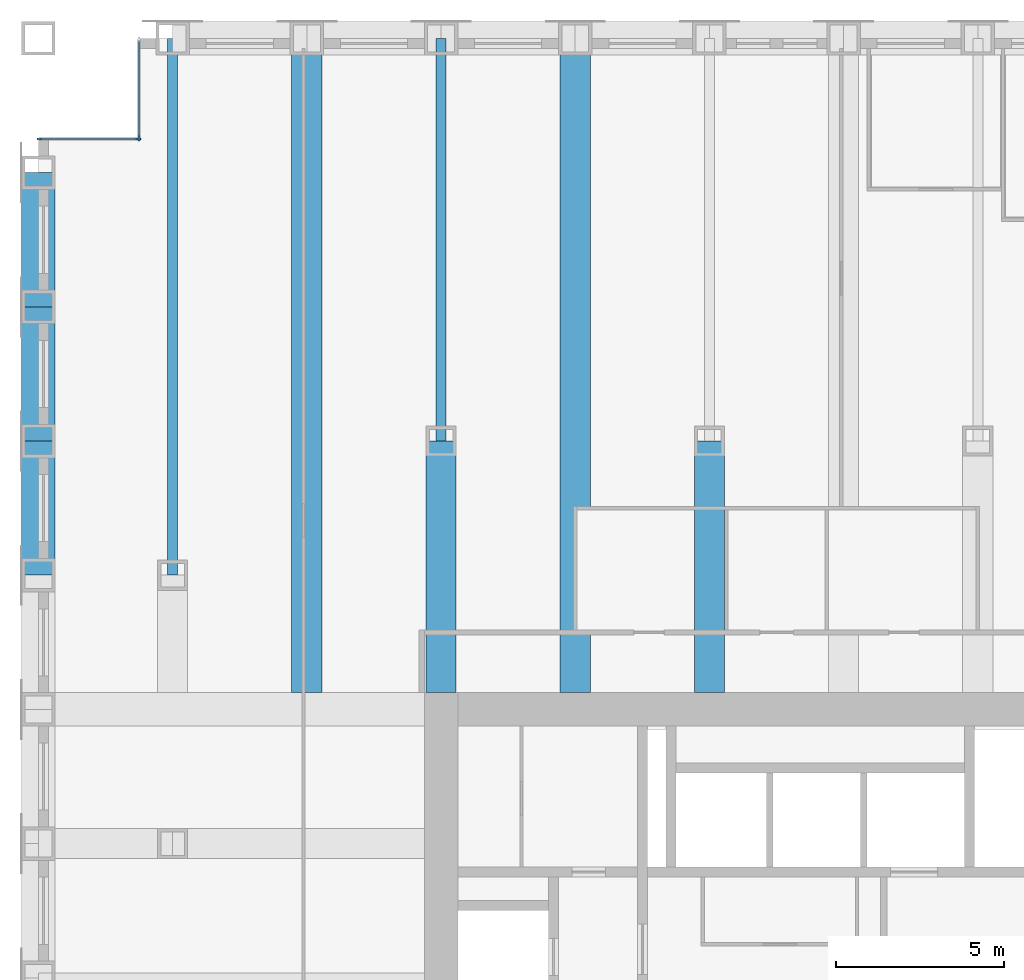
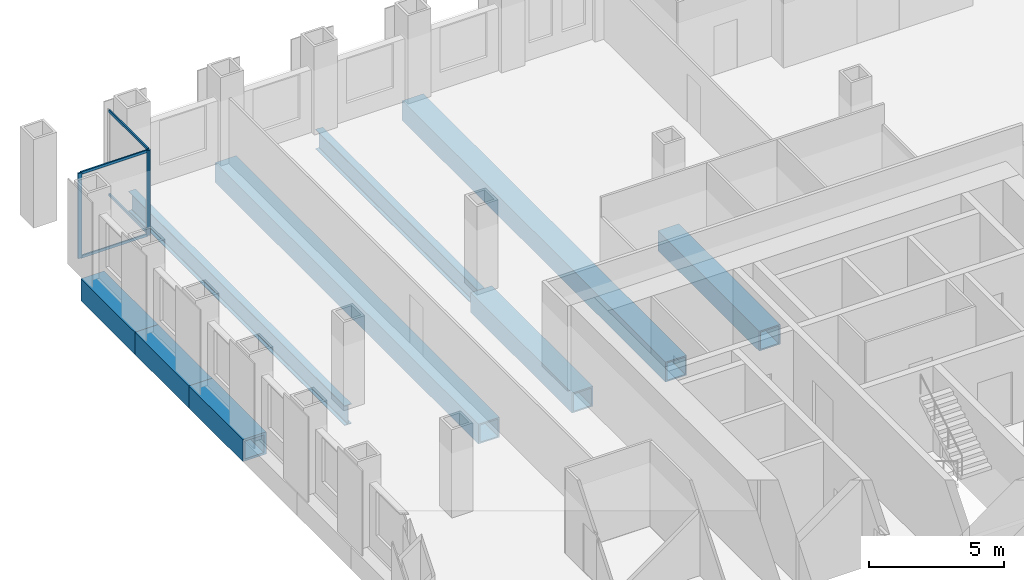
# One storey, part 5 of 13: 9 beams, 7 members, 2 elements without a shape of their own.
"""IFC4 building model written with IfcOpenShell, lengths in metres."""

from ifc_helpers import new_model, si_unit, direction, frame, origin, origin_2d, place, context, subcontext, project, spatial, rectangle, hollow_rectangle, i_section, extrude, material, material_profile, profile_set, type_object, element, aggregate, save


model = new_model("IFC4")

# Units and contexts
model_context = context("Model", 3, precision=1e-05, world=origin(), true_north=direction((0.0, 1.0)))
body_context = subcontext(model_context, "Body", "Model", "MODEL_VIEW")
ifc_project = project(units=[si_unit("LENGTHUNIT", "METRE"), si_unit("AREAUNIT", "SQUARE_METRE"), si_unit("VOLUMEUNIT", "CUBIC_METRE"), si_unit("PLANEANGLEUNIT", "RADIAN"), si_unit("MASSUNIT", "GRAM", prefix="KILO")], contexts=[model_context])

# Site, building, storey
site_placement = place(None, origin())
site = spatial("IfcSite", under=ifc_project, at=site_placement, CompositionType="ELEMENT")
building_placement = place(site_placement, origin())
building = spatial("IfcBuilding", under=site, at=building_placement, Name="Rimbunsela Tower", CompositionType="ELEMENT")
storey_placement = place(building_placement, frame((0.0, 0.0, 187.800048828125)))
storey = spatial("IfcBuildingStorey", under=building, at=storey_placement, Name="L45", CompositionType="ELEMENT", Elevation=187.800048828125)

# Beams
ifc_material_1 = material(Name="Steel BJ 55 (fy 410 MPa)", Category="steel")
ifc_material_profile_1 = material_profile(ifc_material_1, hollow_rectangle(XDim=1.0, YDim=1.0, WallThickness=0.10009765625, at=origin_2d()), Name="BOX 1000x1000x100")
ifc_profile_set_1 = profile_set([ifc_material_profile_1], Name="Steel BJ 55 (fy 410 MPa)")
beam_type_1 = type_object("IfcBeamType", Name="Beam BOX 1000x1000x100", PredefinedType="BEAM", material=ifc_profile_set_1)
for number, where, z_axis, x_axis, name in (
    (1, (6.0, 40.0, -0.650146484375), (0.0, 1.0, 0.0), (-1.0, 0.0, 0.0), "Beam B3 L45"),
    (2, (6.0, 44.0, -0.650146484375), (0.0, 1.0, 0.0), (-1.0, 0.0, 0.0), "Beam B3 L45"),
    (3, (6.0, 48.0, -0.650146484375), (0.0, 1.0, 0.0), (-1.0, 0.0, 0.0), "Beam B3 L45"),
):
    element("IfcBeam", number, at=place(storey_placement, frame(where, z_axis=z_axis, x_axis=x_axis)), inside=storey, type_object=beam_type_1, Name=name, PredefinedType="BEAM", context=body_context, shape_type="SweptSolid", body=[
        extrude(hollow_rectangle(XDim=1.0, YDim=1.0, WallThickness=0.10009765625, at=origin_2d()), origin(), (0.0, 0.0, 1.0), 4.0),
    ])
ifc_material_2 = material(Name="Steel BJ 55 (fy 410 MPa)", Category="steel")
ifc_material_profile_2 = material_profile(ifc_material_2, hollow_rectangle(XDim=0.89990234375, YDim=0.89990234375, WallThickness=0.06005859375, at=origin_2d()), Name="BOX 900x900x60")
ifc_profile_set_2 = profile_set([ifc_material_profile_2], Name="Steel BJ 55 (fy 410 MPa)")
beam_type_2 = type_object("IfcBeamType", Name="Beam BOX 900x900x60", PredefinedType="BEAM", material=ifc_profile_set_2)
beam_1_placement = place(storey_placement, frame((14.0, 36.5, -0.60009765625), z_axis=(0.0, 1.0, 0.0), x_axis=(-1.0, 0.0, 0.0)))
element("IfcBeam", 4, at=beam_1_placement, inside=storey, type_object=beam_type_2, Name="Beam B1 L45", PredefinedType="BEAM", context=body_context, shape_type="SweptSolid", body=[
    extrude(hollow_rectangle(XDim=0.89990234375, YDim=0.89990234375, WallThickness=0.06005859375, at=origin_2d()), origin(), (0.0, 0.0, 1.0), 19.5),
])
beam_2_placement = place(storey_placement, frame((18.0, 36.5, -0.60009765625), z_axis=(0.0, 1.0, 0.0), x_axis=(-1.0, 0.0, 0.0)))
element("IfcBeam", 5, at=beam_2_placement, inside=storey, type_object=beam_type_2, Name="Beam B1 L45", PredefinedType="BEAM", context=body_context, shape_type="SweptSolid", body=[
    extrude(hollow_rectangle(XDim=0.89990234375, YDim=0.89990234375, WallThickness=0.06005859375, at=origin_2d()), origin(), (0.0, 0.0, 1.0), 7.5),
])
beam_3_placement = place(storey_placement, frame((22.0, 36.5, -0.60009765625), z_axis=(0.0, 1.0, 0.0), x_axis=(-1.0, 0.0, 0.0)))
element("IfcBeam", 6, at=beam_3_placement, inside=storey, type_object=beam_type_2, Name="Beam B1 L45", PredefinedType="BEAM", context=body_context, shape_type="SweptSolid", body=[
    extrude(hollow_rectangle(XDim=0.89990234375, YDim=0.89990234375, WallThickness=0.06005859375, at=origin_2d()), origin(), (0.0, 0.0, 1.0), 19.5),
])
beam_4_placement = place(storey_placement, frame((26.0, 36.5, -0.60009765625), z_axis=(0.0, 1.0, 0.0), x_axis=(-1.0, 0.0, 0.0)))
element("IfcBeam", 7, at=beam_4_placement, inside=storey, type_object=beam_type_2, Name="Beam B1 L45", PredefinedType="BEAM", context=body_context, shape_type="SweptSolid", body=[
    extrude(hollow_rectangle(XDim=0.89990234375, YDim=0.89990234375, WallThickness=0.06005859375, at=origin_2d()), origin(), (0.0, 0.0, 1.0), 7.5),
])
ifc_material_3 = material(Name="Steel BJ 55 (fy 410 MPa)", Category="steel")
ifc_material_profile_3 = material_profile(ifc_material_3, i_section(OverallWidth=0.300048828125, OverallDepth=0.89990234375, WebThickness=0.01611328125, FlangeThickness=0.028076171875, FilletRadius=0.028076171875, at=origin_2d()), Name="H 900x300x16x28")
ifc_profile_set_3 = profile_set([ifc_material_profile_3], Name="Steel BJ 55 (fy 410 MPa)")
beam_type_3 = type_object("IfcBeamType", Name="Beam H 900x300x16x28", PredefinedType="BEAM", material=ifc_profile_set_3)
beam_5_placement = place(storey_placement, frame((10.0, 40.0, -0.60009765625), z_axis=(0.0, 1.0, 0.0), x_axis=(-1.0, 0.0, 0.0)))
element("IfcBeam", 8, at=beam_5_placement, inside=storey, type_object=beam_type_3, Name="Beam B2 L45", PredefinedType="BEAM", context=body_context, shape_type="SweptSolid", body=[
    extrude(i_section(OverallWidth=0.300048828125, OverallDepth=0.89990234375, WebThickness=0.01611328125, FlangeThickness=0.028076171875, FilletRadius=0.028076171875, at=origin_2d()), origin(), (0.0, 0.0, 1.0), 16.0),
])
beam_6_placement = place(storey_placement, frame((18.0, 44.0, -0.60009765625), z_axis=(0.0, 1.0, 0.0), x_axis=(-1.0, 0.0, 0.0)))
element("IfcBeam", 9, at=beam_6_placement, inside=storey, type_object=beam_type_3, Name="Beam B2 L45", PredefinedType="BEAM", context=body_context, shape_type="SweptSolid", body=[
    extrude(i_section(OverallWidth=0.300048828125, OverallDepth=0.89990234375, WebThickness=0.01611328125, FlangeThickness=0.028076171875, FilletRadius=0.028076171875, at=origin_2d()), origin(), (0.0, 0.0, 1.0), 12.0),
])

# Curtain wall, member
ifc_material_4 = material(Name="Aluminium curtain wall", Category="aluminium")
curtain_wall_type = type_object("IfcCurtainWallType", Name="Corner glazing", PredefinedType="USERDEFINED", material=ifc_material_4)
curtain_wall_1_placement = place(storey_placement, origin())
curtain_wall_1 = element("IfcCurtainWall", 10, at=curtain_wall_1_placement, inside=storey, type_object=curtain_wall_type, Name="Corner glazing L45", ObjectType="CORNER GLAZING", PredefinedType="USERDEFINED")
ifc_material_5 = material(Name="Aluminium mullion", Category="aluminium")
ifc_material_profile_4 = material_profile(ifc_material_5, rectangle(XDim=0.06005859375, YDim=0.159912109375, at=origin_2d()), Name="Mullion 60x160")
ifc_profile_set_4 = profile_set([ifc_material_profile_4], Name="Aluminium mullion")
member_type_1 = type_object("IfcMemberType", Name="Curtain wall mullion 60x160", PredefinedType="MULLION", material=ifc_profile_set_4)
member_1_placement = place(storey_placement, frame((9.0, 53.030029296875, 0.0), z_axis=(0.0, 0.0, 1.0), x_axis=(1.0, 0.0, 0.0)))
member_1 = element("IfcMember", 11, at=member_1_placement, type_object=member_type_1, Name="CW5 mullion 2", PredefinedType="MULLION", context=body_context, shape_type="SweptSolid", body=[
    extrude(rectangle(XDim=0.06005859375, YDim=0.159912109375, at=origin_2d()), origin(), (0.0, 0.0, 1.0), 3.849853515625),
])

# Curtain wall, members
curtain_wall_2_placement = place(storey_placement, origin())
curtain_wall_2 = element("IfcCurtainWall", 12, at=curtain_wall_2_placement, inside=storey, type_object=curtain_wall_type, Name="Corner glazing L45", ObjectType="CORNER GLAZING", PredefinedType="USERDEFINED")
member_2_placement = place(storey_placement, frame((8.969970703125, 53.0, 0.0), z_axis=(0.0, 0.0, 1.0), x_axis=(0.0, -1.0, 0.0)))
member_2 = element("IfcMember", 13, at=member_2_placement, type_object=member_type_1, Name="CW5 mullion 1", PredefinedType="MULLION", context=body_context, shape_type="SweptSolid", body=[
    extrude(rectangle(XDim=0.06005859375, YDim=0.159912109375, at=origin_2d()), origin(), (0.0, 0.0, 1.0), 3.849853515625),
])
member_3_placement = place(storey_placement, frame((6.030029296875, 53.0, 0.0), z_axis=(0.0, 0.0, 1.0), x_axis=(0.0, -1.0, 0.0)))
member_3 = element("IfcMember", 14, at=member_3_placement, type_object=member_type_1, Name="CW5 mullion 2", PredefinedType="MULLION", context=body_context, shape_type="SweptSolid", body=[
    extrude(rectangle(XDim=0.06005859375, YDim=0.159912109375, at=origin_2d()), origin(), (0.0, 0.0, 1.0), 3.849853515625),
])

# Member
ifc_material_6 = material(Name="Aluminium transom", Category="aluminium")
ifc_material_profile_5 = material_profile(ifc_material_6, rectangle(XDim=0.06005859375, YDim=0.1201171875, at=origin_2d()), Name="Transom 60x120")
ifc_profile_set_5 = profile_set([ifc_material_profile_5], Name="Aluminium transom")
member_type_2 = type_object("IfcMemberType", Name="Curtain wall transom 60x120", PredefinedType="USERDEFINED", material=ifc_profile_set_5)
member_4_placement = place(storey_placement, frame((9.0, 55.93994140625, 0.030029296875), z_axis=(0.0, -1.0, 0.0), x_axis=(1.0, 0.0, 0.0)))
member_4 = element("IfcMember", 15, at=member_4_placement, type_object=member_type_2, Name="CW5 transom 1.1", ObjectType="TRANSOM", PredefinedType="USERDEFINED", context=body_context, shape_type="SweptSolid", body=[
    extrude(rectangle(XDim=0.06005859375, YDim=0.1201171875, at=origin_2d()), origin(), (0.0, 0.0, 1.0), 2.8798828125),
])

member_5_placement = place(storey_placement, frame((9.0, 55.93994140625, 3.820068359375), z_axis=(0.0, -1.0, 0.0), x_axis=(1.0, 0.0, 0.0)))
member_5 = element("IfcMember", 16, at=member_5_placement, type_object=member_type_2, Name="CW5 transom 1.2", ObjectType="TRANSOM", PredefinedType="USERDEFINED", context=body_context, shape_type="SweptSolid", body=[
    extrude(rectangle(XDim=0.06005859375, YDim=0.1201171875, at=origin_2d()), origin(), (0.0, 0.0, 1.0), 2.8798828125),
])

aggregate(curtain_wall_1, [member_1, member_4, member_5])

member_6_placement = place(storey_placement, frame((8.93994140625, 53.0, 0.030029296875), z_axis=(-1.0, 0.0, 0.0), x_axis=(0.0, -1.0, 0.0)))
member_6 = element("IfcMember", 17, at=member_6_placement, type_object=member_type_2, Name="CW5 transom 1.1", ObjectType="TRANSOM", PredefinedType="USERDEFINED", context=body_context, shape_type="SweptSolid", body=[
    extrude(rectangle(XDim=0.06005859375, YDim=0.1201171875, at=origin_2d()), origin(), (0.0, 0.0, 1.0), 2.8798828125),
])

member_7_placement = place(storey_placement, frame((8.93994140625, 53.0, 3.820068359375), z_axis=(-1.0, 0.0, 0.0), x_axis=(0.0, -1.0, 0.0)))
member_7 = element("IfcMember", 18, at=member_7_placement, type_object=member_type_2, Name="CW5 transom 1.2", ObjectType="TRANSOM", PredefinedType="USERDEFINED", context=body_context, shape_type="SweptSolid", body=[
    extrude(rectangle(XDim=0.06005859375, YDim=0.1201171875, at=origin_2d()), origin(), (0.0, 0.0, 1.0), 2.8798828125),
])

aggregate(curtain_wall_2, [member_2, member_3, member_6, member_7])

save(model, "model.ifc")
